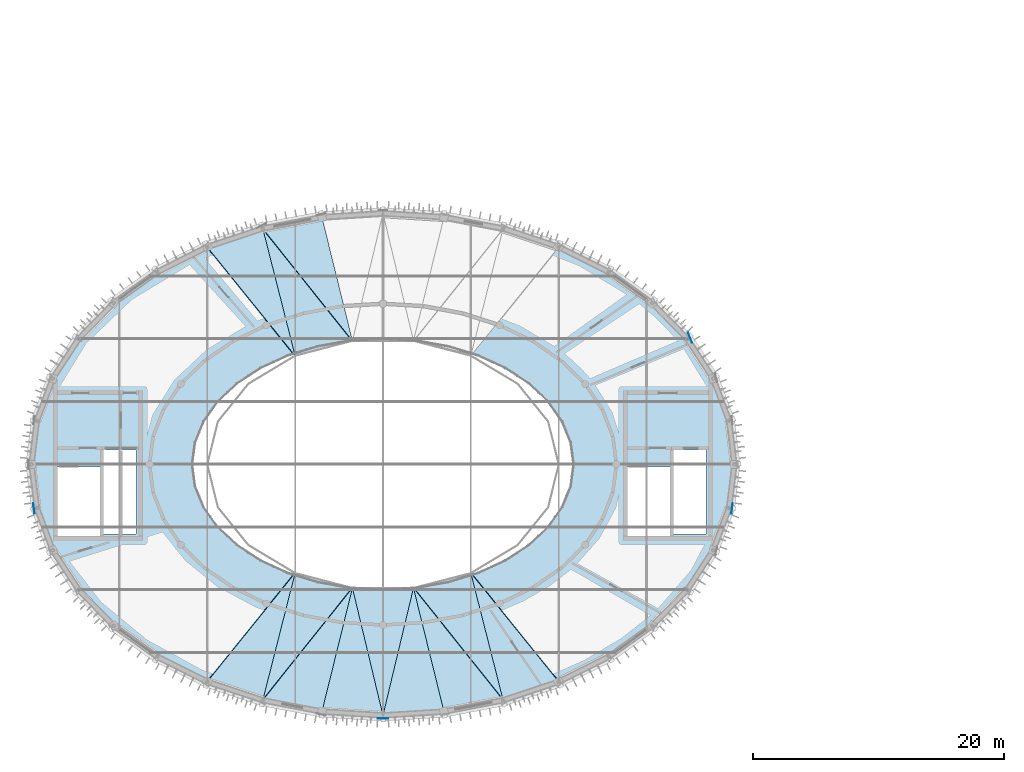
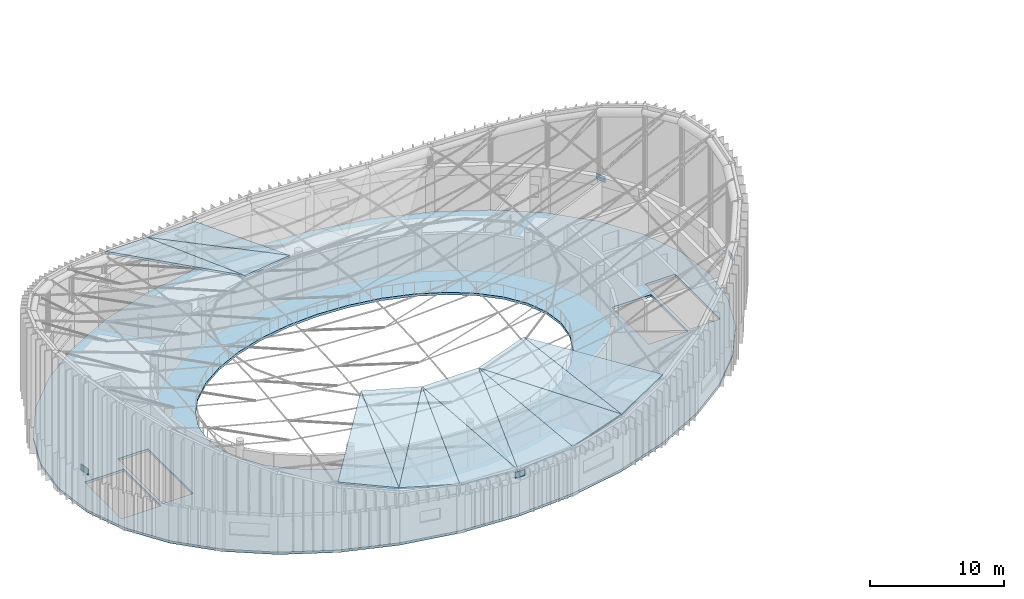
# One storey, part 18 of 36: 13 slabs, 4 plates.
"""IFC4 building model written with IfcOpenShell, lengths in metres."""

from ifc_helpers import new_model, si_unit, direction, frame, origin, origin_2d, place, context, subcontext, project, spatial, polyline, rectangle, outline, extrude, material, layer, layer_set, type_object, element, save


model = new_model("IFC4")

# Units and contexts
model_context = context("Model", 3, precision=1e-05, world=origin(), true_north=direction((0.0, 1.0)))
body_context = subcontext(model_context, "Body", "Model", "MODEL_VIEW")
ifc_project = project(units=[si_unit("LENGTHUNIT", "METRE"), si_unit("AREAUNIT", "SQUARE_METRE"), si_unit("VOLUMEUNIT", "CUBIC_METRE"), si_unit("PLANEANGLEUNIT", "RADIAN"), si_unit("MASSUNIT", "GRAM", prefix="KILO")], contexts=[model_context])

# Site, building, storey
site_placement = place(None, origin())
site = spatial("IfcSite", under=ifc_project, at=site_placement, CompositionType="ELEMENT")
building_placement = place(site_placement, origin())
building = spatial("IfcBuilding", under=site, at=building_placement, Name="Tarnveldt Headland Concert Hall", CompositionType="ELEMENT")
storey_placement = place(building_placement, frame((0.0, 0.0, 22.800048828125)))
storey = spatial("IfcBuildingStorey", under=building, at=storey_placement, Name="L05", CompositionType="ELEMENT", Elevation=22.800048828125)

# Plates
ifc_material_1 = material(Name="Steel S355", Category="steel")
ifc_layer_1 = layer(ifc_material_1, 0.028076171875, Name="Steel S355", Category="steel")
ifc_layer_set_1 = layer_set([ifc_layer_1], Name="Steel S355")
plate_type = type_object("IfcPlateType", Name="NP-04", PredefinedType="SHEET", material=ifc_layer_set_1)
for number, where, z_axis, x_axis, name in (
    (1, (107.970703125, 64.591552734375, 3.52490234375), (0.0, 0.0, 1.0), (-0.381231734269, 0.924479510204, 0.0), "Ring-beam cable anchorage plate 4"),
    (2, (55.687255859375, 50.9970703125, 3.52490234375), (0.0, 0.0, 1.0), (0.124986912574, -0.992158390422, 0.0), "Ring-beam cable anchorage plate 20"),
    (3, (83.5, 34.260009765625, 3.52490234375), (0.0, 0.0, 1.0), (1.0, 0.0, 0.0), "Ring-beam cable anchorage plate 28"),
    (4, (111.312744140625, 50.9970703125, 3.52490234375), (0.0, 0.0, 1.0), (0.124986912574, 0.992158390422, 0.0), "Ring-beam cable anchorage plate 36"),
):
    element("IfcPlate", number, at=place(storey_placement, frame(where, z_axis=z_axis, x_axis=x_axis)), inside=storey, type_object=plate_type, Name=name, PredefinedType="SHEET", context=body_context, shape_type="SweptSolid", body=[
        extrude(rectangle(XDim=0.85009765625, YDim=0.028076171875, at=origin_2d()), origin(), (0.0, 0.0, 1.0), 0.550048828125),
    ])

# Slabs
ifc_material_2 = material(Name="Concrete C40/50", Category="concrete")
ifc_layer_2 = layer(ifc_material_2, 0.219970703125, Name="Concrete C40/50", Category="concrete")
ifc_layer_set_2 = layer_set([ifc_layer_2], Name="Concrete C40/50")
slab_type_1 = type_object("IfcSlabType", Name="SL-FL220", PredefinedType="FLOOR", material=ifc_layer_set_2)
slab_1_placement = place(storey_placement, frame((0.0, 0.0, -0.219970703125)))
element("IfcSlab", 5, at=slab_1_placement, inside=storey, type_object=slab_type_1, Name="Symphony drum floor slab L05", PredefinedType="FLOOR", context=body_context, shape_type="SweptSolid", body=[
    extrude(outline(polyline([(101.498046875, 39.17919921875), (104.94921875, 41.644287109375), (107.748779296875, 44.5), (109.811279296875, 47.65966796875), (111.07470703125, 51.027099609375), (111.5, 54.5), (111.07470703125, 57.972900390625), (109.811279296875, 61.34033203125), (107.748779296875, 64.5), (104.94921875, 67.355712890625), (101.498046875, 69.82080078125), (97.5, 71.820556640625), (93.07666015625, 73.2939453125), (88.362060546875, 74.1962890625), (83.5, 74.5), (78.637939453125, 74.1962890625), (73.92333984375, 73.2939453125), (69.5, 71.820556640625), (65.501953125, 69.82080078125), (62.05078125, 67.355712890625), (59.251220703125, 64.5), (57.188720703125, 61.34033203125), (55.92529296875, 57.972900390625), (55.5, 54.5), (55.92529296875, 51.027099609375), (57.188720703125, 47.65966796875), (59.251220703125, 44.5), (62.05078125, 41.644287109375), (65.501953125, 39.17919921875), (69.5, 37.179443359375), (73.92333984375, 35.7060546875), (78.637939453125, 34.8037109375), (83.5, 34.5), (88.362060546875, 34.8037109375), (93.07666015625, 35.7060546875), (97.5, 37.179443359375), (101.498046875, 39.17919921875)]), holes=[polyline([(93.2705078125, 62.160400390625), (95.143798828125, 60.927978515625), (96.66357421875, 59.5), (97.783203125, 57.920166015625), (98.468994140625, 56.236572265625), (98.699951171875, 54.5), (98.468994140625, 52.763427734375), (97.783203125, 51.079833984375), (96.66357421875, 49.5), (95.143798828125, 48.072021484375), (93.2705078125, 46.839599609375), (91.10009765625, 45.839599609375), (88.69873046875, 45.10302734375), (86.139404296875, 44.65185546875), (83.5, 44.5), (80.860595703125, 44.65185546875), (78.30126953125, 45.10302734375), (75.89990234375, 45.839599609375), (73.7294921875, 46.839599609375), (71.856201171875, 48.072021484375), (70.33642578125, 49.5), (69.216796875, 51.079833984375), (68.531005859375, 52.763427734375), (68.300048828125, 54.5), (68.531005859375, 56.236572265625), (69.216796875, 57.920166015625), (70.33642578125, 59.5), (71.856201171875, 60.927978515625), (73.7294921875, 62.160400390625), (75.89990234375, 63.160400390625), (78.30126953125, 63.89697265625), (80.860595703125, 64.34814453125), (83.5, 64.5), (86.139404296875, 64.34814453125), (88.69873046875, 63.89697265625), (91.10009765625, 63.160400390625), (93.2705078125, 62.160400390625)]), polyline([(60.9599609375, 48.780029296875), (57.580078125, 48.780029296875), (57.580078125, 54.280029296875), (60.9599609375, 54.280029296875), (60.9599609375, 48.780029296875)]), polyline([(61.239990234375, 48.9599609375), (61.239990234375, 55.659912109375), (63.840087890625, 55.659912109375), (63.840087890625, 48.9599609375), (61.239990234375, 48.9599609375)]), polyline([(102.97998046875, 54.280029296875), (106.360107421875, 54.280029296875), (106.360107421875, 48.780029296875), (102.97998046875, 48.780029296875), (102.97998046875, 54.280029296875)]), polyline([(109.239990234375, 55.659912109375), (109.239990234375, 48.9599609375), (106.639892578125, 48.9599609375), (106.639892578125, 55.659912109375), (109.239990234375, 55.659912109375)])]), origin(), (0.0, 0.0, 1.0), 0.219970703125),
])
ifc_layer_3 = layer(ifc_material_2, 0.1650390625, Name="Concrete C40/50", Category="concrete")
ifc_layer_set_3 = layer_set([ifc_layer_3], Name="Concrete C40/50")
slab_type_2 = type_object("IfcSlabType", Name="SL-RF165", PredefinedType="ROOF", material=ifc_layer_set_3)
slab_2_placement = place(storey_placement, frame((81.06884765625, 64.34814453125, 6.316162109375), z_axis=(0.055657999432, 0.185582629572, 0.981051107079), x_axis=(-0.620196746036, 0.776453777786, -0.111693899424)))
element("IfcSlab", 6, at=slab_2_placement, inside=storey, type_object=slab_type_2, Name="Symphony saddle roof outer facet 17", PredefinedType="ROOF", context=body_context, shape_type="SweptSolid", body=[
    extrude(outline(polyline([(0.0, 0.0), (11.521356502068437, 5.828670879282072e-16), (1.8573088300107332, 4.366881646685302), (0.0, 0.0)])), origin(), (0.0, 0.0, -1.0), 0.1650390625),
])
slab_3_placement = place(storey_placement, frame((76.5, 45.839599609375, 6.800048828125), z_axis=(0.182635787117, -0.214117783321, 0.959582067428), x_axis=(-0.627712007216, -0.776583437499, -0.053812643476)))
element("IfcSlab", 7, at=slab_3_placement, inside=storey, type_object=slab_type_2, Name="Symphony saddle roof outer facet 37", PredefinedType="ROOF", context=body_context, shape_type="SweptSolid", body=[
    extrude(outline(polyline([(0.0, 0.0), (11.151610801648827, -6.661338147750939e-16), (9.582232511616395, 4.543599103935406), (0.0, 0.0)])), origin(), (0.0, 0.0, -1.0), 0.1650390625),
])
slab_4_placement = place(storey_placement, frame((81.06884765625, 44.65185546875, 6.316162109375), z_axis=(0.112836496699, -0.22920646754, 0.966815556479), x_axis=(-0.620196746036, -0.776453777786, -0.111693899424)))
element("IfcSlab", 8, at=slab_4_placement, inside=storey, type_object=slab_type_2, Name="Symphony saddle roof outer facet 39", PredefinedType="ROOF", context=body_context, shape_type="SweptSolid", body=[
    extrude(outline(polyline([(0.0, 0.0), (11.521356502068437, -1.27675647831893e-15), (9.383357406658325, 4.365154559956441), (0.0, 0.0)])), origin(), (0.0, 0.0, -1.0), 0.1650390625),
])
slab_5_placement = place(storey_placement, frame((81.06884765625, 44.65185546875, 6.316162109375), z_axis=(0.0, -0.22243579942, 0.974947339673), x_axis=(0.227364181452, -0.949413275068, -0.216610161622)))
element("IfcSlab", 9, at=slab_5_placement, inside=storey, type_object=slab_type_2, Name="Symphony saddle roof outer facet 41", PredefinedType="ROOF", context=body_context, shape_type="SweptSolid", body=[
    extrude(outline(polyline([(0.0, 0.0), (10.692767560076057, 0.0), (1.1055139252422088, 4.734959961306964), (0.0, 0.0)])), origin(), (0.0, 0.0, -1.0), 0.1650390625),
])
slab_6_placement = place(storey_placement, frame((85.93115234375, 44.65185546875, 6.316162109375), z_axis=(-0.112836496699, -0.22920646754, 0.966815556479), x_axis=(0.234892866841, -0.951602738036, -0.198185695925)))
element("IfcSlab", 10, at=slab_6_placement, inside=storey, type_object=slab_type_2, Name="Symphony saddle roof outer facet 43", PredefinedType="ROOF", context=body_context, shape_type="SweptSolid", body=[
    extrude(outline(polyline([(0.0, 0.0), (10.349008191773652, 4.996003610813204e-16), (10.446315614511732, 4.859644609409528), (0.0, 0.0)])), origin(), (0.0, 0.0, -1.0), 0.1650390625),
])
slab_7_placement = place(storey_placement, frame((90.5, 45.839599609375, 6.800048828125), z_axis=(-0.182635787117, -0.214117783321, 0.959582067428), x_axis=(0.242969296916, -0.955554918237, -0.166975204712)))
element("IfcSlab", 11, at=slab_7_placement, inside=storey, type_object=slab_type_2, Name="Symphony saddle roof outer facet 45", PredefinedType="ROOF", context=body_context, shape_type="SweptSolid", body=[
    extrude(outline(polyline([(0.0, 0.0), (10.604879665699226, 3.885780586188048e-16), (10.07624140480112, 4.777842883940657), (0.0, 0.0)])), origin(), (0.0, 0.0, -1.0), 0.1650390625),
])
ifc_layer_4 = layer(ifc_material_2, 0.175048828125, Name="Concrete C40/50", Category="concrete")
ifc_layer_set_4 = layer_set([ifc_layer_4], Name="Concrete C40/50")
slab_type_3 = type_object("IfcSlabType", Name="SL-RF175", PredefinedType="ROOF", material=ifc_layer_set_4)
slab_8_placement = place(storey_placement, frame((81.06884765625, 64.34814453125, 6.316162109375), z_axis=(0.112836496699, 0.22920646754, 0.966815556479), x_axis=(-0.234892866841, 0.951602738036, -0.198185695925)))
element("IfcSlab", 12, at=slab_8_placement, inside=storey, type_object=slab_type_3, Name="Symphony saddle roof outer facet 16", PredefinedType="ROOF", context=body_context, shape_type="SweptSolid", body=[
    extrude(outline(polyline([(0.0, 0.0), (10.349008191773652, 4.996003610813204e-16), (10.446315614511732, 4.859644609409528), (0.0, 0.0)])), origin(), (0.0, 0.0, -1.0), 0.175048828125),
])
slab_9_placement = place(storey_placement, frame((76.5, 63.160400390625, 6.800048828125), z_axis=(0.182635787117, 0.214117783321, 0.959582067428), x_axis=(-0.242969296916, 0.955554918237, -0.166975204712)))
element("IfcSlab", 13, at=slab_9_placement, inside=storey, type_object=slab_type_3, Name="Symphony saddle roof outer facet 18", PredefinedType="ROOF", context=body_context, shape_type="SweptSolid", body=[
    extrude(outline(polyline([(0.0, 0.0), (10.604879665699226, 3.885780586188048e-16), (10.07624140480112, 4.777842883940657), (0.0, 0.0)])), origin(), (0.0, 0.0, -1.0), 0.175048828125),
])
slab_10_placement = place(storey_placement, frame((76.5, 45.839599609375, 6.800048828125), z_axis=(0.055657999432, -0.185582629572, 0.981051107079), x_axis=(-0.242969296916, -0.955554918237, -0.166975204712)))
element("IfcSlab", 14, at=slab_10_placement, inside=storey, type_object=slab_type_3, Name="Symphony saddle roof outer facet 38", PredefinedType="ROOF", context=body_context, shape_type="SweptSolid", body=[
    extrude(outline(polyline([(0.0, 0.0), (10.604879665699226, 1.3877787807814457e-16), (0.10566213634877798, 4.744268849794982), (0.0, 0.0)])), origin(), (0.0, 0.0, -1.0), 0.175048828125),
])
slab_11_placement = place(storey_placement, frame((81.06884765625, 44.65185546875, 6.316162109375), z_axis=(0.039918682847, -0.213162153256, 0.976201001423), x_axis=(-0.234892866841, -0.951602738036, -0.198185695925)))
element("IfcSlab", 15, at=slab_11_placement, inside=storey, type_object=slab_type_3, Name="Symphony saddle roof outer facet 40", PredefinedType="ROOF", context=body_context, shape_type="SweptSolid", body=[
    extrude(outline(polyline([(0.0, 0.0), (10.349008191773652, 4.163336342344337e-16), (9.548503315981844, 4.812625324965429), (0.0, 0.0)])), origin(), (0.0, 0.0, -1.0), 0.175048828125),
])
slab_12_placement = place(storey_placement, frame((85.93115234375, 44.65185546875, 6.316162109375), z_axis=(-0.039918682847, -0.213162153256, 0.976201001423), x_axis=(-0.227364181452, -0.949413275068, -0.216610161622)))
element("IfcSlab", 16, at=slab_12_placement, inside=storey, type_object=slab_type_3, Name="Symphony saddle roof outer facet 42", PredefinedType="ROOF", context=body_context, shape_type="SweptSolid", body=[
    extrude(outline(polyline([(0.0, 0.0), (10.692767560076057, -1.4224732503009818e-16), (9.241530640321061, 4.657905320785848), (0.0, 0.0)])), origin(), (0.0, 0.0, -1.0), 0.175048828125),
])
slab_13_placement = place(storey_placement, frame((85.93115234375, 44.65185546875, 6.316162109375), z_axis=(-0.055657999432, -0.185582629572, 0.981051107079), x_axis=(0.620196746036, -0.776453777786, -0.111693899424)))
element("IfcSlab", 17, at=slab_13_placement, inside=storey, type_object=slab_type_3, Name="Symphony saddle roof outer facet 44", PredefinedType="ROOF", context=body_context, shape_type="SweptSolid", body=[
    extrude(outline(polyline([(0.0, 0.0), (11.521356502068437, 5.828670879282072e-16), (1.8573088300107332, 4.366881646685302), (0.0, 0.0)])), origin(), (0.0, 0.0, -1.0), 0.175048828125),
])

save(model, "model.ifc")
